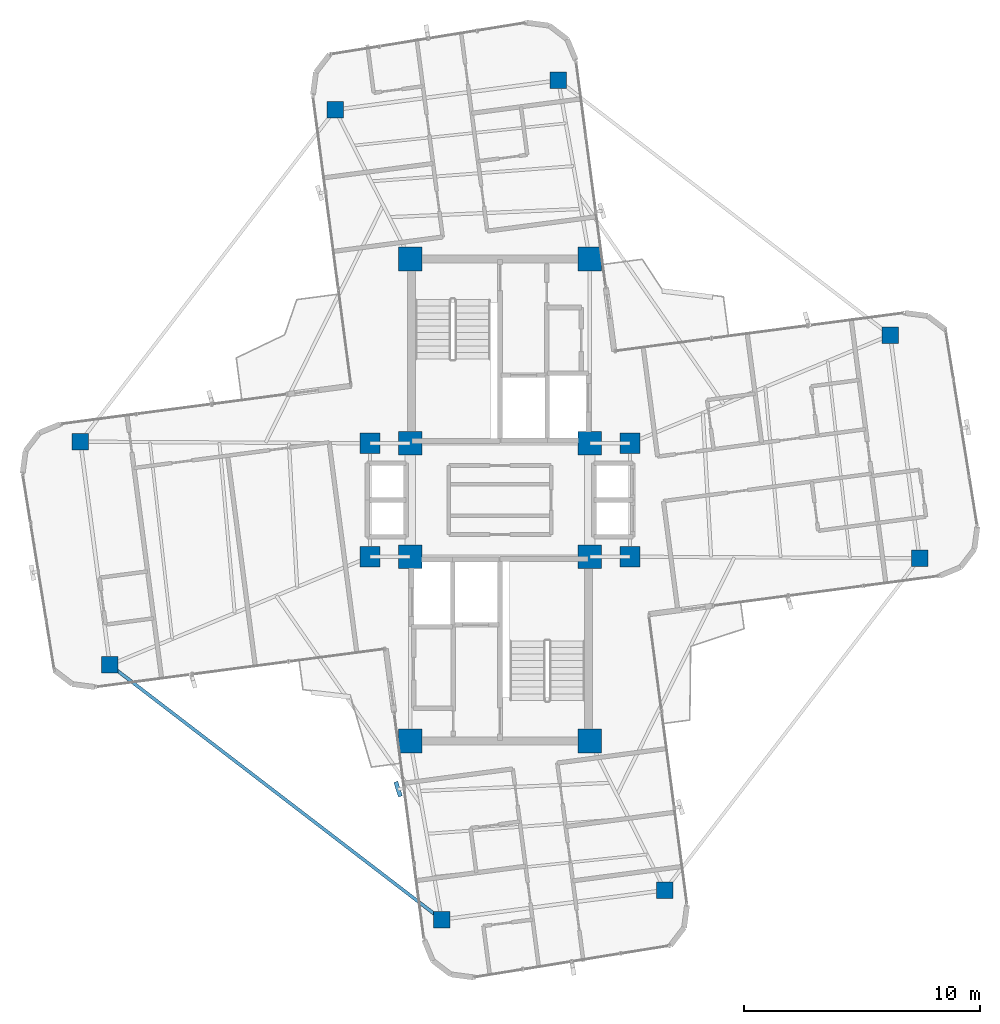
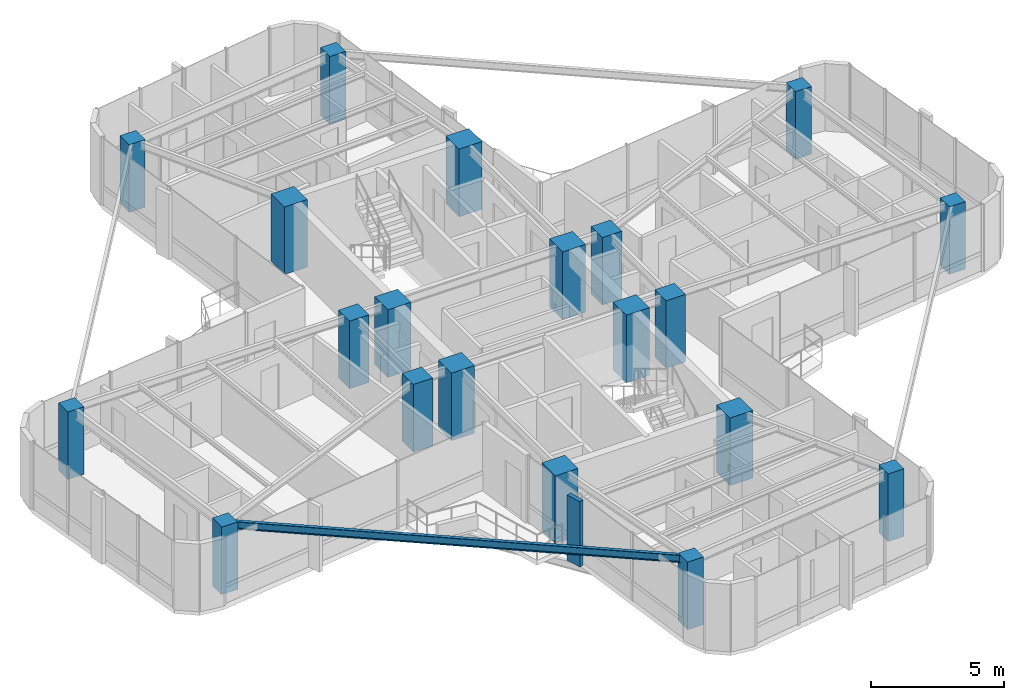
# One storey, part 1 of 22: 20 columns, 1 beam, 1 member, 1 element without a shape of its own.
"""IFC4 building model written with IfcOpenShell, lengths in metres."""

from ifc_helpers import new_model, si_unit, direction, frame, origin, origin_2d, place, context, subcontext, project, spatial, rectangle, i_section, extrude, source, transform, mapped, material, material_profile, profile_set, type_object, element, aggregate, save


model = new_model("IFC4")

# Units and contexts
model_context = context("Model", 3, precision=1e-05, world=origin(), true_north=direction((0.0, 1.0)))
body_context = subcontext(model_context, "Body", "Model", "MODEL_VIEW")
ifc_project = project(units=[si_unit("LENGTHUNIT", "METRE"), si_unit("AREAUNIT", "SQUARE_METRE"), si_unit("VOLUMEUNIT", "CUBIC_METRE"), si_unit("PLANEANGLEUNIT", "RADIAN"), si_unit("MASSUNIT", "GRAM", prefix="KILO")], contexts=[model_context])

# Site, building, storey
site_placement = place(None, origin())
site = spatial("IfcSite", under=ifc_project, at=site_placement, CompositionType="ELEMENT")
building_placement = place(site_placement, origin())
building = spatial("IfcBuilding", under=site, at=building_placement, Name="Sahyath Konkavel Grand Hotel", CompositionType="ELEMENT")
storey_placement = place(building_placement, frame((0.0, 0.0, 247.85009765625)))
storey = spatial("IfcBuildingStorey", under=building, at=storey_placement, Name="L69", CompositionType="ELEMENT", Elevation=247.85009765625)

# Columns
ifc_material_1 = material(Name="Concrete C50/60", Category="concrete")
ifc_material_profile_1 = material_profile(ifc_material_1, rectangle(XDim=1.0, YDim=1.0, at=origin_2d()), Name="RC 1000x1000")
ifc_profile_set_1 = profile_set([ifc_material_profile_1], Name="Concrete C50/60")
column_type_1 = type_object("IfcColumnType", Name="COL-RC1000", PredefinedType="COLUMN", material=ifc_profile_set_1)
shared_shape_1 = source(origin(), body_context, "Body", "SweptSolid", [
    extrude(rectangle(XDim=1.0, YDim=1.0, at=origin_2d()), origin(), (0.0, 0.0, 1.0), 3.10986328125),
])
for number, where, z_axis, x_axis, name in (
    (1, (-3.800048828125, 2.39990234375, 0.0), (0.0, 0.0, 1.0), (1.0, 0.0, 0.0), "L69 Core Boundary Column NC-SW"),
    (2, (3.800048828125, 2.39990234375, 0.0), (0.0, 0.0, 1.0), (1.0, 0.0, 0.0), "L69 Core Boundary Column NC-SE"),
    (3, (-3.800048828125, 10.199951171875, 0.0), (0.0, 0.0, 1.0), (1.0, 0.0, 0.0), "L69 Core Boundary Column NC-NW"),
    (4, (3.800048828125, 10.199951171875, 0.0), (0.0, 0.0, 1.0), (1.0, 0.0, 0.0), "L69 Core Boundary Column NC-NE"),
    (5, (-3.800048828125, -2.39990234375, 0.0), (0.0, 0.0, 1.0), (1.0, 0.0, 0.0), "L69 Core Boundary Column SC-NW"),
    (6, (3.800048828125, -2.39990234375, 0.0), (0.0, 0.0, 1.0), (1.0, 0.0, 0.0), "L69 Core Boundary Column SC-NE"),
    (7, (-3.800048828125, -10.199951171875, 0.0), (0.0, 0.0, 1.0), (1.0, 0.0, 0.0), "L69 Core Boundary Column SC-SW"),
    (8, (3.800048828125, -10.199951171875, 0.0), (0.0, 0.0, 1.0), (1.0, 0.0, 0.0), "L69 Core Boundary Column SC-SE"),
):
    element("IfcColumn", number, at=place(storey_placement, frame(where, z_axis=z_axis, x_axis=x_axis)), inside=storey, type_object=column_type_1, Name=name, PredefinedType="COLUMN", context=body_context, shape_type="MappedRepresentation", body=[
        mapped(shared_shape_1, transform((0.0, 0.0, 0.0), scale=1.0)),
    ])
ifc_material_2 = material(Name="Concrete C40/50", Category="concrete")
ifc_material_profile_2 = material_profile(ifc_material_2, rectangle(XDim=0.85009765625, YDim=0.85009765625, at=origin_2d()), Name="RC 850x850")
ifc_profile_set_2 = profile_set([ifc_material_profile_2], Name="Concrete C40/50")
column_type_2 = type_object("IfcColumnType", Name="COL-RC850", PredefinedType="COLUMN", material=ifc_profile_set_2)
shared_shape_2 = source(origin(), body_context, "Body", "SweptSolid", [
    extrude(rectangle(XDim=0.85009765625, YDim=0.85009765625, at=origin_2d()), origin(), (0.0, 0.0, 1.0), 3.10986328125),
])
for number, where, z_axis, x_axis, name in (
    (9, (5.5, 2.39990234375, 0.0), (0.0, 0.0, 1.0), (1.0, 0.0, 0.0), "L69 Central Spine Column HB-NE"),
    (10, (-5.5, 2.39990234375, 0.0), (0.0, 0.0, 1.0), (1.0, 0.0, 0.0), "L69 Central Spine Column HB-NW"),
    (11, (5.5, -2.39990234375, 0.0), (0.0, 0.0, 1.0), (1.0, 0.0, 0.0), "L69 Central Spine Column HB-SE"),
    (12, (-5.5, -2.39990234375, 0.0), (0.0, 0.0, 1.0), (1.0, 0.0, 0.0), "L69 Central Spine Column HB-SW"),
):
    element("IfcColumn", number, at=place(storey_placement, frame(where, z_axis=z_axis, x_axis=x_axis)), inside=storey, type_object=column_type_2, Name=name, PredefinedType="COLUMN", context=body_context, shape_type="MappedRepresentation", body=[
        mapped(shared_shape_2, transform((0.0, 0.0, 0.0), scale=1.0)),
    ])
ifc_material_profile_3 = material_profile(ifc_material_2, rectangle(XDim=0.699951171875, YDim=0.699951171875, at=origin_2d()), Name="RC 700x700")
ifc_profile_set_3 = profile_set([ifc_material_profile_3], Name="Concrete C40/50")
column_type_3 = type_object("IfcColumnType", Name="COL-RC700", PredefinedType="COLUMN", material=ifc_profile_set_3)
shared_shape_3 = source(origin(), body_context, "Body", "SweptSolid", [
    extrude(rectangle(XDim=0.699951171875, YDim=0.699951171875, at=origin_2d()), origin(), (0.0, 0.0, 1.0), 3.10986328125),
])
for number, where, z_axis, x_axis, name in (
    (13, (17.75390625, -2.466796875, 0.0), (0.0, 0.0, 1.0), (1.0, 0.0, 0.0), "L69 Cruciform Wing Column WC-EA"),
    (14, (16.510498046875, 6.977783203125, 0.0), (0.0, 0.0, 1.0), (1.0, 0.0, 0.0), "L69 Cruciform Wing Column WC-EB"),
    (15, (2.466796875, 17.75390625, 0.0), (0.0, 0.0, 1.0), (1.0, 0.0, 0.0), "L69 Cruciform Wing Column WC-NA"),
    (16, (-6.977783203125, 16.510498046875, 0.0), (0.0, 0.0, 1.0), (1.0, 0.0, 0.0), "L69 Cruciform Wing Column WC-NB"),
    (17, (-17.75390625, 2.466796875, 0.0), (0.0, 0.0, 1.0), (1.0, 0.0, 0.0), "L69 Cruciform Wing Column WC-WA"),
    (18, (-16.510498046875, -6.977783203125, 0.0), (0.0, 0.0, 1.0), (1.0, 0.0, 0.0), "L69 Cruciform Wing Column WC-WB"),
    (19, (-2.466796875, -17.75390625, 0.0), (0.0, 0.0, 1.0), (1.0, 0.0, 0.0), "L69 Cruciform Wing Column WC-SA"),
    (20, (6.977783203125, -16.510498046875, 0.0), (0.0, 0.0, 1.0), (1.0, 0.0, 0.0), "L69 Cruciform Wing Column WC-SB"),
):
    element("IfcColumn", number, at=place(storey_placement, frame(where, z_axis=z_axis, x_axis=x_axis)), inside=storey, type_object=column_type_3, Name=name, PredefinedType="COLUMN", context=body_context, shape_type="MappedRepresentation", body=[
        mapped(shared_shape_3, transform((0.0, 0.0, 0.0), scale=1.0)),
    ])

# Beam
ifc_material_3 = material(Name="Steel E350", Category="steel")
ifc_material_profile_4 = material_profile(ifc_material_3, i_section(OverallWidth=0.139892578125, OverallDepth=0.35009765625, WebThickness=0.008056640625, FlangeThickness=0.01416015625, FilletRadius=0.013916015625, at=origin_2d()), Name="ISMB 350")
ifc_profile_set_4 = profile_set([ifc_material_profile_4], Name="Steel E350")
beam_type = type_object("IfcBeamType", Name="BM-ISMB350", PredefinedType="BEAM", material=ifc_profile_set_4)
shared_shape_4 = source(origin(), body_context, "Body", "SweptSolid", [
    extrude(i_section(OverallWidth=0.139892578125, OverallDepth=0.35009765625, WebThickness=0.008056640625, FlangeThickness=0.01416015625, FilletRadius=0.013916015625, at=origin_2d()), origin(), (0.0, 0.0, 1.0), 17.70166015625),
])
beam_placement = place(storey_placement, frame((-16.510498046875, -6.977783203125, 2.934814453125), z_axis=(0.793353009437, -0.608761860187, 0.0), x_axis=(0.608761860187, 0.793353009437, 0.0)))
element("IfcBeam", 21, at=beam_placement, inside=storey, type_object=beam_type, Name="L69 Re-Entrant Tie Beam SW", PredefinedType="BEAM", context=body_context, shape_type="MappedRepresentation", body=[
    mapped(shared_shape_4, transform((0.0, 0.0, 0.0), scale=1.0)),
])

# Curtain wall, member
ifc_material_4 = material(Name="Anodised Bronze Aluminium & Low-E Glazing", Category="aluminium")
curtain_wall_type = type_object("IfcCurtainWallType", Name="CW-ZONE4", PredefinedType="NOTDEFINED", material=ifc_material_4)
curtain_wall_placement = place(storey_placement, origin())
curtain_wall = element("IfcCurtainWall", 22, at=curtain_wall_placement, inside=storey, type_object=curtain_wall_type, Name="L69 Unitised Curtain Wall F24", PredefinedType="NOTDEFINED")
ifc_material_5 = material(Name="Warm Buff Sandstone Cladding on Concrete C50/60", Category="masonry")
ifc_material_profile_5 = material_profile(ifc_material_5, rectangle(XDim=0.179931640625, YDim=0.64990234375, at=origin_2d()), Name="FIN 180x650")
ifc_profile_set_5 = profile_set([ifc_material_profile_5], Name="Warm Buff Sandstone Cladding on Concrete C50/60")
member_type = type_object("IfcMemberType", Name="FIN-SANDSTONE-650", PredefinedType="MULLION", material=ifc_profile_set_5)
shared_shape_5 = source(origin(), body_context, "Body", "SweptSolid", [
    extrude(rectangle(XDim=0.179931640625, YDim=0.64990234375, at=origin_2d()), origin(), (0.0, 0.0, 1.0), 3.010009765625),
])
member_placement = place(storey_placement, frame((-4.313232421875, -12.23291015625, 0.0498046875), z_axis=(0.0, 0.0, 1.0), x_axis=(0.953348857629, 0.301870759858, 0.0)))
member = element("IfcMember", 23, at=member_placement, type_object=member_type, Name="L69 Sandstone Vertical Solar Fin FIN F24-1", PredefinedType="MULLION", context=body_context, shape_type="MappedRepresentation", body=[
    mapped(shared_shape_5, transform((0.0, 0.0, 0.0), scale=1.0)),
])
aggregate(curtain_wall, [member])

save(model, "model.ifc")
